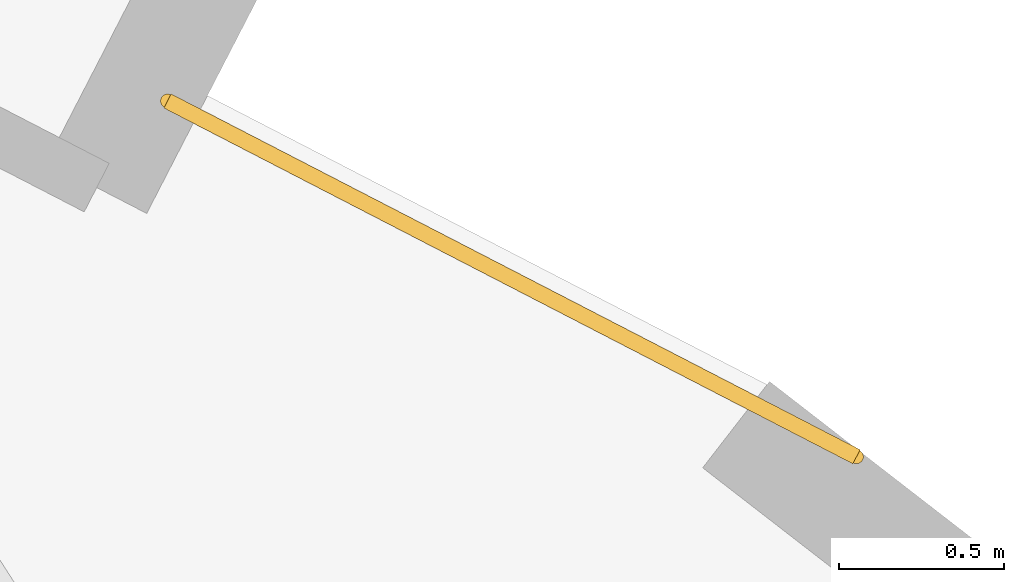
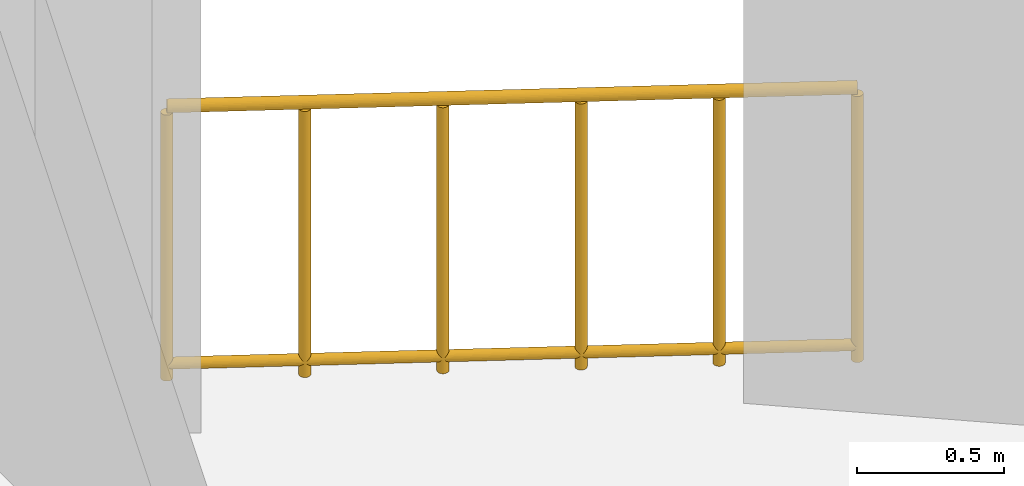
# One storey, part 11 of 11: 1 railing.
"""IFC4 building model written with IfcOpenShell, lengths in metres."""

import ifcopenshell
import ifcopenshell.guid

model = None  # the IFC model being written
_history = None  # IfcOwnerHistory: only IFC2X3 demands one
_inside = {}  # id of a spatial element -> (the spatial element, [elements in it])
_under = {}  # id of a project, library or spatial element -> (it, [spatial elements below it])
_declared = {}  # id of a project -> (the project, [libraries it declares])
_typed = {}  # id of a type object -> (the type object, [elements of that type])
_made_of = {}  # id of a material, layer set ... -> (it, [elements and type objects made of it])


def new_model(schema):
    """Start an empty IFC model of exactly this schema.

    Asked for "IFC4X3", IfcOpenShell would pick the latest addendum, in which some entities
    have other attributes; the version numbers below select the first issue.
    IFC2X3 requires an IfcOwnerHistory on every rooted entity: one is made here for all.
    """
    global model, _history
    if schema == "IFC4X3":
        model = ifcopenshell.file(schema_version=(4, 3, 0, 0))
    else:
        model = ifcopenshell.file(schema=schema)
    _inside.clear()
    _under.clear()
    _declared.clear()
    _typed.clear()
    _made_of.clear()
    _history = None
    if model.schema == "IFC2X3":
        org = make("IfcOrganization", Name="unknown")
        user = make(
            "IfcPersonAndOrganization",
            ThePerson=make("IfcPerson", FamilyName="unknown"),
            TheOrganization=org,
        )
        app = make(
            "IfcApplication",
            ApplicationDeveloper=org,
            Version="unknown",
            ApplicationFullName="unknown",
            ApplicationIdentifier="unknown",
        )
        _history = make(
            "IfcOwnerHistory",
            OwningUser=user,
            OwningApplication=app,
            ChangeAction="ADDED",
            CreationDate=0,
        )
    return model


def make(cls, **values):
    """One entity of the class cls with the attributes given. An attribute that is None is left unset."""
    return model.create_entity(
        cls, **{name: value for name, value in values.items() if value is not None}
    )


def rooted(cls, **values):
    """An entity with a GlobalId (a new one), such as an element, a storey or a relation."""
    return make(cls, GlobalId=ifcopenshell.guid.new(), OwnerHistory=_history, **values)


def si_unit(unit_type, name, prefix=None):
    """IfcSIUnit, for example si_unit("LENGTHUNIT", "METRE", prefix="MILLI")."""
    return make("IfcSIUnit", UnitType=unit_type, Prefix=prefix, Name=name)


def assignment(units):
    """IfcUnitAssignment: the units of a project."""
    return None if units is None else make("IfcUnitAssignment", Units=units)


def point(xyz):
    """IfcCartesianPoint."""
    return None if xyz is None else make("IfcCartesianPoint", Coordinates=xyz)


def direction(xyz):
    """IfcDirection."""
    return None if xyz is None else make("IfcDirection", DirectionRatios=xyz)


def frame(location, z_axis=None, x_axis=None):
    """IfcAxis2Placement3D, a coordinate frame: its origin and axes. An axis left out is left unset."""
    return make(
        "IfcAxis2Placement3D",
        Location=point(location),
        Axis=direction(z_axis),
        RefDirection=direction(x_axis),
    )


def frame_2d(location, x_axis=None):
    """IfcAxis2Placement2D, a coordinate frame in the plane: its origin and x axis."""
    return make(
        "IfcAxis2Placement2D", Location=point(location), RefDirection=direction(x_axis)
    )


def origin():
    """The frame at (0, 0, 0) with its axes left unset."""
    return frame((0.0, 0.0, 0.0))


def origin_2d():
    """The frame at (0, 0) in the plane with its x axis left unset."""
    return frame_2d((0.0, 0.0))


def place(relative_to, where):
    """IfcLocalPlacement: puts the frame where relative to a parent placement (None: the world)."""
    return make(
        "IfcLocalPlacement", PlacementRelTo=relative_to, RelativePlacement=where
    )


def context(
    kind, dimensions, precision=None, world=None, true_north=None, identifier=None
):
    """IfcGeometricRepresentationContext, for example the 3D "Model" context."""
    return make(
        "IfcGeometricRepresentationContext",
        ContextIdentifier=identifier,
        ContextType=kind,
        CoordinateSpaceDimension=dimensions,
        Precision=precision,
        WorldCoordinateSystem=world,
        TrueNorth=true_north,
    )


def subcontext(parent, identifier, kind, view, scale=None):
    """IfcGeometricRepresentationSubContext, for example "Body" below "Model"."""
    return make(
        "IfcGeometricRepresentationSubContext",
        ContextIdentifier=identifier,
        ContextType=kind,
        ParentContext=parent,
        TargetScale=scale,
        TargetView=view,
    )


def project(units=None, contexts=None):
    """IfcProject with its units and contexts."""
    return rooted(
        "IfcProject",
        Name="project",
        RepresentationContexts=contexts,
        UnitsInContext=assignment(units),
    )


def spatial(cls, under=None, at=None, **own):
    """A site, building, storey or space (cls), placed at a placement, below another one or the project."""
    s = rooted(cls, ObjectPlacement=at, **own)
    if under is not None:
        _under.setdefault(under.id(), (under, []))[1].append(s)
    return s


def profile(cls, at=None, kind="AREA", **sizes):
    """A parametric profile (cls). Its sizes go by their IFC names, for example OverallWidth=200.0."""
    return make(cls, ProfileType=kind, Position=at, **sizes)


def circle(**sizes):
    """IfcCircleProfileDef."""
    return profile("IfcCircleProfileDef", **sizes)


def extrude(swept, where, along, depth):
    """IfcExtrudedAreaSolid: the profile swept, set in the frame where, extruded along a direction by depth."""
    return make(
        "IfcExtrudedAreaSolid",
        SweptArea=swept,
        Position=where,
        ExtrudedDirection=direction(along),
        Depth=depth,
    )


def shape(context_of_items, identifier, shape_type, items):
    """IfcShapeRepresentation: the items that make up one representation, for example the "Body"."""
    return make(
        "IfcShapeRepresentation",
        ContextOfItems=context_of_items,
        RepresentationIdentifier=identifier,
        RepresentationType=shape_type,
        Items=items,
    )


def material(Name=None, Category=None):
    """IfcMaterial."""
    return make("IfcMaterial", Name=Name, Category=Category)


def made_of(thing, what):
    """Note that an element or type object is made of a material, layer set ...; save() writes the relation."""
    if what is not None:
        _made_of.setdefault(what.id(), (what, []))[1].append(thing)
    return thing


def type_object(cls, material=None, **own):
    """A type object (cls), such as IfcWallType, which elements share."""
    return made_of(rooted(cls, **own), material)


def element(
    cls,
    number,
    at=None,
    inside=None,
    cuts=None,
    type_object=None,
    material=None,
    context=None,
    identifier="Body",
    shape_type=None,
    held_by="IfcProductDefinitionShape",
    body=None,
    shapes=None,
    **own,
):
    """One element of the class cls, such as IfcWall. Its Tag is "e" and its number.

    at: its placement. inside: the storey or other place that contains it. cuts: it is an
    opening in that element (IfcRelVoidsElement). A single representation is given by context,
    identifier, shape_type and body (its items); several are given by shapes. held_by: the class
    of the entity that holds the representations. save() writes the other relations.
    """
    e = rooted(cls, Tag="e%d" % number, ObjectPlacement=at, **own)
    if body is not None:
        shapes = [shape(context, identifier, shape_type, body)]
    if shapes is not None:
        e.Representation = make(held_by, Representations=shapes)
    if inside is not None:
        _inside.setdefault(inside.id(), (inside, []))[1].append(e)
    if cuts is not None:
        rooted(
            "IfcRelVoidsElement", RelatingBuildingElement=cuts, RelatedOpeningElement=e
        )
    if type_object is not None:
        _typed.setdefault(type_object.id(), (type_object, []))[1].append(e)
    return made_of(e, material)


def aggregate(whole, parts):
    """IfcRelAggregates: a whole, such as a stair, and the parts it consists of."""
    return rooted("IfcRelAggregates", RelatingObject=whole, RelatedObjects=parts)


def save(model, path):
    """Write the relations noted so far, then the file.

    IfcRelAggregates (storeys below a building ...), IfcRelContainedInSpatialStructure (elements
    in a storey), IfcRelDefinesByType, IfcRelAssociatesMaterial and IfcRelDeclares: one each for
    every whole, place, type object, material and project.
    """
    for whole, parts in _under.values():
        aggregate(whole, parts)
    for where, things in _inside.values():
        rooted(
            "IfcRelContainedInSpatialStructure",
            RelatedElements=things,
            RelatingStructure=where,
        )
    for kind, things in _typed.values():
        rooted("IfcRelDefinesByType", RelatedObjects=things, RelatingType=kind)
    for what, things in _made_of.values():
        rooted("IfcRelAssociatesMaterial", RelatedObjects=things, RelatingMaterial=what)
    for by, libraries in _declared.values():
        rooted("IfcRelDeclares", RelatingContext=by, RelatedDefinitions=libraries)
    model.write(path)


model = new_model("IFC4")

# Units and contexts
model_context = context("Model", 3, precision=1e-05, world=origin(), true_north=direction((0.0, 1.0)))
body_context = subcontext(model_context, "Body", "Model", "MODEL_VIEW")
ifc_project = project(units=[si_unit("LENGTHUNIT", "METRE"), si_unit("AREAUNIT", "SQUARE_METRE"), si_unit("VOLUMEUNIT", "CUBIC_METRE"), si_unit("PLANEANGLEUNIT", "RADIAN"), si_unit("MASSUNIT", "GRAM", prefix="KILO"), si_unit("THERMODYNAMICTEMPERATUREUNIT", "KELVIN"), si_unit("POWERUNIT", "WATT")], contexts=[model_context])

# Site, building, storey
site_placement = place(None, origin())
site = spatial("IfcSite", under=ifc_project, at=site_placement, CompositionType="ELEMENT")
building_placement = place(site_placement, origin())
building = spatial("IfcBuilding", under=site, at=building_placement, Name="Skarre Station Tower", CompositionType="ELEMENT")
storey_placement = place(building_placement, frame((0.0, 0.0, 118.800048828125)))
storey = spatial("IfcBuildingStorey", under=building, at=storey_placement, Name="L31", CompositionType="ELEMENT", Elevation=118.800048828125)

# Railing
ifc_material = material(Name="Stainless Steel Grade 316L & Laminated Safety Glass", Category="steel")
railing_type = type_object("IfcRailingType", Name="Laminated Glass & Stainless Terrace Guardrail 1150", PredefinedType="BALUSTRADE", material=ifc_material)
railing_placement = place(storey_placement, frame((53.037109375, 37.029052734375, 0.0)))
element("IfcRailing", 1, at=railing_placement, inside=storey, type_object=railing_type, Name="L31 SB-2 Shoulder Ledge Guardrail 2", PredefinedType="BALUSTRADE", context=body_context, shape_type="SweptSolid", body=[
    extrude(circle(Radius=0.02392578125, at=origin_2d()), frame((0.0, 0.0, 1.1259765625), z_axis=(0.888522104904, -0.458833814248, 0.0), x_axis=(0.458833814248, 0.888522104904, 0.0)), (0.0, 0.0, 1.0), 2.345458984375),
    extrude(circle(Radius=0.02099609375, at=origin_2d()), frame((0.0, 0.0, 0.06005859375), z_axis=(0.888522104904, -0.458833814248, 0.0), x_axis=(0.458833814248, 0.888522104904, 0.0)), (0.0, 0.0, 1.0), 2.345458984375),
    extrude(circle(Radius=0.02099609375, at=origin_2d()), origin(), (0.0, 0.0, 1.0), 1.101806640625),
    extrude(circle(Radius=0.02099609375, at=origin_2d()), frame((0.416748046875, -0.21533203125, 0.0)), (0.0, 0.0, 1.0), 1.101806640625),
    extrude(circle(Radius=0.02099609375, at=origin_2d()), frame((0.83349609375, -0.430419921875, 0.0)), (0.0, 0.0, 1.0), 1.101806640625),
    extrude(circle(Radius=0.02099609375, at=origin_2d()), frame((1.25048828125, -0.645751953125, 0.0)), (0.0, 0.0, 1.0), 1.101806640625),
    extrude(circle(Radius=0.02099609375, at=origin_2d()), frame((1.667236328125, -0.86083984375, 0.0)), (0.0, 0.0, 1.0), 1.101806640625),
    extrude(circle(Radius=0.02099609375, at=origin_2d()), frame((2.083984375, -1.076171875, 0.0)), (0.0, 0.0, 1.0), 1.101806640625),
])

save(model, "model.ifc")
